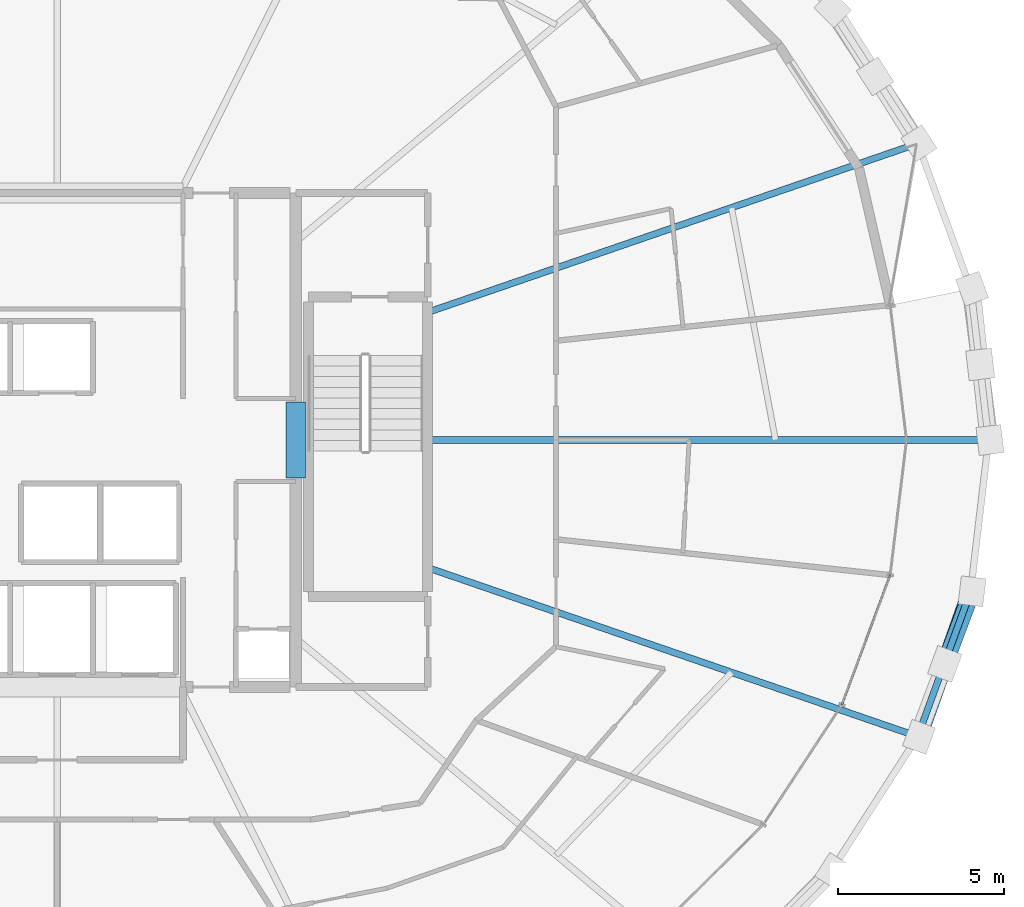
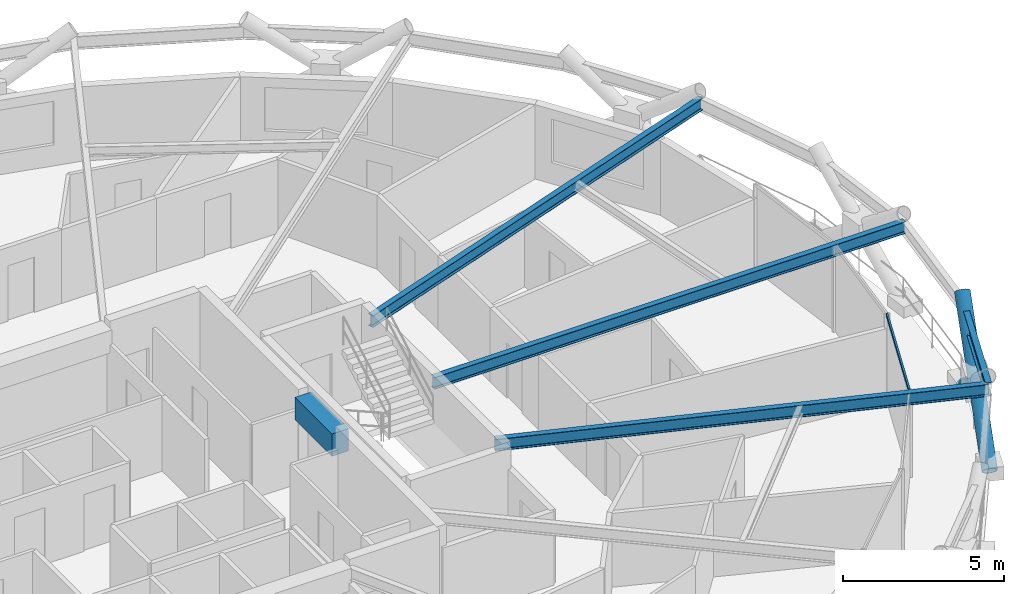
# One storey, part 10 of 19: 5 beams, 3 members, 1 element without a shape of its own.
"""IFC4 building model written with IfcOpenShell, lengths in metres."""

from ifc_helpers import new_model, si_unit, direction, frame, origin, origin_2d, place, context, subcontext, project, spatial, rectangle, hollow_rectangle, hollow_circle, i_section, extrude, material, layer, layer_set, material_profile, profile_set, type_object, element, aggregate, save


model = new_model("IFC4")

# Units and contexts
model_context = context("Model", 3, precision=1e-05, world=origin(), true_north=direction((0.0, 1.0)))
body_context = subcontext(model_context, "Body", "Model", "MODEL_VIEW")
ifc_project = project(units=[si_unit("LENGTHUNIT", "METRE"), si_unit("AREAUNIT", "SQUARE_METRE"), si_unit("VOLUMEUNIT", "CUBIC_METRE"), si_unit("PLANEANGLEUNIT", "RADIAN"), si_unit("MASSUNIT", "GRAM", prefix="KILO")], contexts=[model_context])

# Site, building, storey
site_placement = place(None, origin())
site = spatial("IfcSite", under=ifc_project, at=site_placement, CompositionType="ELEMENT")
building_placement = place(site_placement, origin())
building = spatial("IfcBuilding", under=site, at=building_placement, Name="Veldorina Hangang Commons", CompositionType="ELEMENT")
storey_placement = place(building_placement, frame((0.0, 0.0, 164.0)))
storey = spatial("IfcBuildingStorey", under=building, at=storey_placement, Name="L42", CompositionType="ELEMENT", Elevation=164.0)

# Beams
ifc_material_1 = material(Name="Concrete C60/75", Category="concrete")
ifc_material_profile_1 = material_profile(ifc_material_1, rectangle(XDim=0.60009765625, YDim=0.85009765625, at=origin_2d()), Name="RC-CB-600x850")
ifc_profile_set_1 = profile_set([ifc_material_profile_1], Name="Concrete C60/75")
beam_type_1 = type_object("IfcBeamType", Name="BM-CB850", PredefinedType="LINTEL", material=ifc_profile_set_1)
beam_1_placement = place(storey_placement, frame((39.199951171875, 22.85009765625, 2.925048828125), z_axis=(0.0, 1.0, 0.0), x_axis=(-1.0, 0.0, 0.0)))
element("IfcBeam", 1, at=beam_1_placement, inside=storey, type_object=beam_type_1, Name="L42 E core coupling lintel beam", PredefinedType="LINTEL", context=body_context, shape_type="SweptSolid", body=[
    extrude(rectangle(XDim=0.60009765625, YDim=0.85009765625, at=origin_2d()), origin(), (0.0, 0.0, 1.0), 2.2998046875),
])
ifc_material_2 = material(Name="Steel SM355-TMC", Category="steel")
ifc_material_profile_2 = material_profile(ifc_material_2, i_section(OverallWidth=0.199951171875, OverallDepth=0.449951171875, WebThickness=0.009033203125, FlangeThickness=0.013916015625, FilletRadius=0.01611328125, at=origin_2d()), Name="H-450x200x9x14")
ifc_profile_set_2 = profile_set([ifc_material_profile_2], Name="Steel SM355-TMC")
beam_type_2 = type_object("IfcBeamType", Name="BM-FG450", PredefinedType="BEAM", material=ifc_profile_set_2)
beam_2_placement = place(storey_placement, frame((43.179931640625, 24.0, 3.125), z_axis=(1.0, 0.0, 0.0), x_axis=(0.0, 1.0, 0.0)))
element("IfcBeam", 2, at=beam_2_placement, inside=storey, type_object=beam_type_2, Name="L42 radial floor girder 01", PredefinedType="BEAM", context=body_context, shape_type="SweptSolid", body=[
    extrude(i_section(OverallWidth=0.199951171875, OverallDepth=0.449951171875, WebThickness=0.009033203125, FlangeThickness=0.013916015625, FilletRadius=0.01611328125, at=origin_2d()), origin(), (0.0, 0.0, 1.0), 16.921875),
])
for number, where, z_axis, x_axis, name in (
    (3, (43.179931640625, 27.851318359375, 3.125), (0.945470676268, 0.325707230987, 0.0), (-0.325707230987, 0.945470676268, 0.0), "L42 radial floor girder 02"),
    (4, (43.179931640625, 20.148681640625, 3.125), (0.945475484687, -0.325693272661, 0.0), (0.325693272661, 0.945475484687, 0.0), "L42 radial floor girder 16"),
):
    element("IfcBeam", number, at=place(storey_placement, frame(where, z_axis=z_axis, x_axis=x_axis)), inside=storey, type_object=beam_type_2, Name=name, PredefinedType="BEAM", context=body_context, shape_type="SweptSolid", body=[
        extrude(i_section(OverallWidth=0.199951171875, OverallDepth=0.449951171875, WebThickness=0.009033203125, FlangeThickness=0.013916015625, FilletRadius=0.01611328125, at=origin_2d()), origin(), (0.0, 0.0, 1.0), 15.63525390625),
    ])
ifc_material_3 = material(Name="Steel SM420-TMC", Category="steel")
ifc_material_profile_3 = material_profile(ifc_material_3, i_section(OverallWidth=0.199951171875, OverallDepth=0.5, WebThickness=0.010009765625, FlangeThickness=0.01611328125, FilletRadius=0.01611328125, at=origin_2d()), Name="H-500x200x10x16")
ifc_profile_set_3 = profile_set([ifc_material_profile_3], Name="Steel SM420-TMC")
beam_type_3 = type_object("IfcBeamType", Name="BM-RB500", PredefinedType="BEAM", material=ifc_profile_set_3)
beam_3_placement = place(storey_placement, frame((57.962646484375, 15.056396484375, 3.10009765625), z_axis=(0.342675433327, 0.939453855915, 0.0), x_axis=(-0.939453855915, 0.342675433327, 0.0)))
element("IfcBeam", 5, at=beam_3_placement, inside=storey, type_object=beam_type_3, Name="L42 perimeter hoop ring beam 30", PredefinedType="BEAM", context=body_context, shape_type="SweptSolid", body=[
    extrude(i_section(OverallWidth=0.199951171875, OverallDepth=0.5, WebThickness=0.010009765625, FlangeThickness=0.01611328125, FilletRadius=0.01611328125, at=origin_2d()), origin(), (0.0, 0.0, 1.0), 4.66650390625),
])

# Curtain wall, member
ifc_material_4 = material(Name="Glass Low-E Triple IGU", Category="glass")
ifc_layer = layer(ifc_material_4, 0.179931640625)
ifc_layer_set = layer_set([ifc_layer], Name="Glass Low-E Triple IGU")
curtain_wall_type = type_object("IfcCurtainWallType", Name="CW-SYS-Z2", PredefinedType="NOTDEFINED", material=ifc_layer_set)
curtain_wall_placement = place(storey_placement, origin())
curtain_wall = element("IfcCurtainWall", 6, at=curtain_wall_placement, inside=storey, type_object=curtain_wall_type, Name="L42 unitised curtain wall CW-L42-R2", PredefinedType="NOTDEFINED")
ifc_material_5 = material(Name="Aluminium Anodized AA6063-T6", Category="aluminium")
ifc_material_profile_4 = material_profile(ifc_material_5, hollow_rectangle(XDim=0.06005859375, YDim=0.139892578125, WallThickness=0.00341796875, at=origin_2d()), Name="ALU-RHS-140x60x3.5")
ifc_profile_set_4 = profile_set([ifc_material_profile_4], Name="Aluminium Anodized AA6063-T6")
member_type_1 = type_object("IfcMemberType", Name="CW-TRN-140", PredefinedType="USERDEFINED", material=ifc_profile_set_4)
member_1_placement = place(storey_placement, frame((55.671875, 16.009765625, 3.27001953125), z_axis=(0.348862585513, 0.937173888043, 0.0), x_axis=(-0.937173888043, 0.348862585513, 0.0)))
member_1 = element("IfcMember", 7, at=member_1_placement, type_object=member_type_1, Name="CW-L42-R2 facet 3 transom 1", ObjectType="TRANSOM", PredefinedType="USERDEFINED", context=body_context, shape_type="SweptSolid", body=[
    extrude(hollow_rectangle(XDim=0.06005859375, YDim=0.139892578125, WallThickness=0.00341796875, at=origin_2d()), origin(), (0.0, 0.0, 1.0), 4.17919921875),
])
aggregate(curtain_wall, [member_1])

# Members
ifc_material_profile_5 = material_profile(ifc_material_3, hollow_circle(Radius=0.25, WallThickness=0.02490234375, at=origin_2d()), Name="CHS-500x25")
ifc_profile_set_5 = profile_set([ifc_material_profile_5], Name="Steel SM420-TMC")
member_type_2 = type_object("IfcMemberType", Name="DG-CHS500", PredefinedType="BRACE", material=ifc_profile_set_5)
member_2_placement = place(storey_placement, frame((58.0, 15.04541015625, 0.0), z_axis=(0.264029701367, 0.746212337596, 0.611110026113), x_axis=(-0.942728098771, 0.333562185787, 0.0)))
element("IfcMember", 8, at=member_2_placement, inside=storey, type_object=member_type_2, Name="L42 continuous perimeter diagrid brace 30", PredefinedType="BRACE", context=body_context, shape_type="SweptSolid", body=[
    extrude(hollow_circle(Radius=0.25, WallThickness=0.02490234375, at=origin_2d()), origin(), (0.0, 0.0, 1.0), 5.89111328125),
])
member_3_placement = place(storey_placement, frame((59.6015625, 19.43505859375, 0.0), z_axis=(-0.278814672242, -0.741686717085, 0.610051794721), x_axis=(0.93604583389, -0.351878099429, 0.0)))
element("IfcMember", 9, at=member_3_placement, inside=storey, type_object=member_type_2, Name="L42 split perimeter diagrid lower brace 31", PredefinedType="BRACE", context=body_context, shape_type="SweptSolid", body=[
    extrude(hollow_circle(Radius=0.25, WallThickness=0.02490234375, at=origin_2d()), origin(), (0.0, 0.0, 1.0), 2.95263671875),
])

save(model, "model.ifc")
